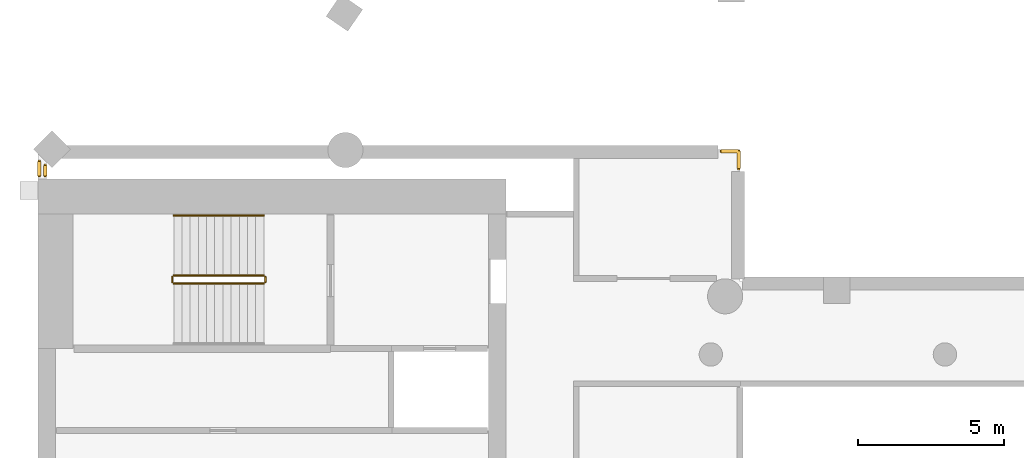
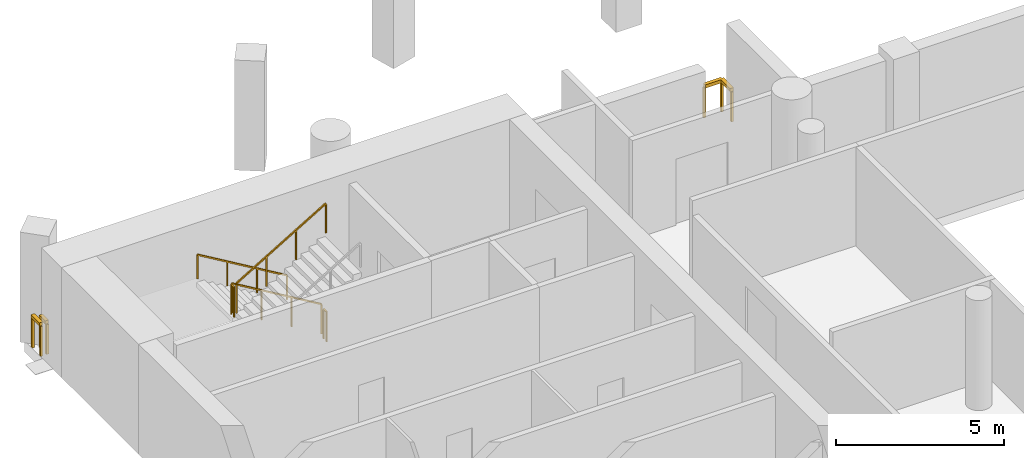
# One storey, part 7 of 8: 8 railings.
"""IFC4 building model written with IfcOpenShell, lengths in metres."""

from ifc_helpers import new_model, si_unit, direction, frame, origin, origin_2d, place, context, subcontext, project, spatial, rectangle, extrude, material, type_object, element, save


model = new_model("IFC4")

# Units and contexts
model_context = context("Model", 3, precision=1e-05, world=origin(), true_north=direction((0.0, 1.0)))
body_context = subcontext(model_context, "Body", "Model", "MODEL_VIEW")
ifc_project = project(units=[si_unit("LENGTHUNIT", "METRE"), si_unit("AREAUNIT", "SQUARE_METRE"), si_unit("VOLUMEUNIT", "CUBIC_METRE"), si_unit("PLANEANGLEUNIT", "RADIAN"), si_unit("MASSUNIT", "GRAM", prefix="KILO")], contexts=[model_context])

# Site, building, storey
site_placement = place(None, origin())
site = spatial("IfcSite", under=ifc_project, at=site_placement, CompositionType="ELEMENT")
building_placement = place(site_placement, origin())
building = spatial("IfcBuilding", under=site, at=building_placement, Name="Cypress Arch Tower", CompositionType="ELEMENT")
storey_placement = place(building_placement, frame((0.0, 0.0, 339.0)))
storey = spatial("IfcBuildingStorey", under=building, at=storey_placement, Name="L77", CompositionType="ELEMENT", Elevation=339.0)

# Railings
ifc_material_1 = material(Name="Stainless steel posts and handrail, laminated glass infill", Category="steel")
railing_type_1 = type_object("IfcRailingType", Name="Deck guard GR1200D", PredefinedType="GUARDRAIL", material=ifc_material_1)
railing_1_placement = place(storey_placement, frame((-29.949951171875, 16.10009765625, 0.0)))
element("IfcRailing", 1, at=railing_1_placement, inside=storey, type_object=railing_type_1, Name="Crown edge guard L77 2", PredefinedType="GUARDRAIL", context=body_context, shape_type="SweptSolid", body=[
    extrude(rectangle(XDim=0.1201171875, YDim=0.1201171875, at=origin_2d()), frame((0.0, 0.0, 1.139892578125), z_axis=(0.0, 1.0, 0.0), x_axis=(-1.0, 0.0, 0.0)), (0.0, 0.0, 1.0), 0.50244140625),
    extrude(rectangle(XDim=0.080078125, YDim=0.080078125, at=origin_2d()), origin(), (0.0, 0.0, 1.0), 1.079833984375),
    extrude(rectangle(XDim=0.080078125, YDim=0.080078125, at=origin_2d()), frame((0.0, 0.50244140625, 0.0)), (0.0, 0.0, 1.0), 1.079833984375),
])
railing_2_placement = place(storey_placement, frame((-29.75, 16.46240234375, 0.0)))
element("IfcRailing", 2, at=railing_2_placement, inside=storey, type_object=railing_type_1, Name="Crown edge guard L77 3", PredefinedType="GUARDRAIL", context=body_context, shape_type="SweptSolid", body=[
    extrude(rectangle(XDim=0.1201171875, YDim=0.1201171875, at=origin_2d()), frame((0.0, 0.0, 1.139892578125), z_axis=(0.0, -1.0, 0.0), x_axis=(1.0, 0.0, 0.0)), (0.0, 0.0, 1.0), 0.3623046875),
    extrude(rectangle(XDim=0.080078125, YDim=0.080078125, at=origin_2d()), origin(), (0.0, 0.0, 1.0), 1.079833984375),
    extrude(rectangle(XDim=0.080078125, YDim=0.080078125, at=origin_2d()), frame((0.0, -0.3623046875, 0.0)), (0.0, 0.0, 1.0), 1.079833984375),
])
railing_3_placement = place(storey_placement, frame((-6.64990234375, 16.949951171875, 0.0)))
element("IfcRailing", 3, at=railing_3_placement, inside=storey, type_object=railing_type_1, Name="Crown edge guard L77 4", PredefinedType="GUARDRAIL", context=body_context, shape_type="SweptSolid", body=[
    extrude(rectangle(XDim=0.1201171875, YDim=0.1201171875, at=origin_2d()), frame((0.0, 0.0, 1.139892578125), z_axis=(1.0, 0.0, 0.0), x_axis=(0.0, 1.0, 0.0)), (0.0, 0.0, 1.0), 0.599853515625),
    extrude(rectangle(XDim=0.1201171875, YDim=0.1201171875, at=origin_2d()), frame((0.599853515625, 0.0, 1.139892578125), z_axis=(0.0, -1.0, 0.0), x_axis=(1.0, 0.0, 0.0)), (0.0, 0.0, 1.0), 0.599853515625),
    extrude(rectangle(XDim=0.080078125, YDim=0.080078125, at=origin_2d()), origin(), (0.0, 0.0, 1.0), 1.079833984375),
    extrude(rectangle(XDim=0.080078125, YDim=0.080078125, at=origin_2d()), frame((0.599853515625, 0.0, 0.0)), (0.0, 0.0, 1.0), 1.079833984375),
    extrude(rectangle(XDim=0.080078125, YDim=0.080078125, at=origin_2d()), frame((0.599853515625, -0.599853515625, 0.0)), (0.0, 0.0, 1.0), 1.079833984375),
])
ifc_material_2 = material(Name="Black powder-coated steel square bar 48 mm", Category="steel")
railing_type_2 = type_object("IfcRailingType", Name="Stair handrail HR1", PredefinedType="HANDRAIL", material=ifc_material_2)
railing_4_placement = place(storey_placement, frame((-22.27490234375, 14.75, 0.166748046875)))
element("IfcRailing", 4, at=railing_4_placement, inside=storey, type_object=railing_type_2, Name="L77 B stair handrail 1", PredefinedType="HANDRAIL", context=body_context, shape_type="SweptSolid", body=[
    extrude(rectangle(XDim=0.048095703125, YDim=0.048095703125, at=origin_2d()), frame((0.0, 0.0, 0.8759765625), z_axis=(-0.859308565015, 0.0, 0.511457515432), x_axis=(0.0, -1.0, 0.0)), (0.0, 0.0, 1.0), 3.58447265625),
    extrude(rectangle(XDim=0.0419921875, YDim=0.0419921875, at=origin_2d()), origin(), (0.0, 0.0, 1.0), 0.851806640625),
    extrude(rectangle(XDim=0.0419921875, YDim=0.0419921875, at=origin_2d()), frame((-1.026611328125, 0.0, 0.611083984375)), (0.0, 0.0, 1.0), 0.851806640625),
    extrude(rectangle(XDim=0.0419921875, YDim=0.0419921875, at=origin_2d()), frame((-2.053466796875, 0.0, 1.22216796875)), (0.0, 0.0, 1.0), 0.851806640625),
    extrude(rectangle(XDim=0.0419921875, YDim=0.0419921875, at=origin_2d()), frame((-3.080078125, 0.0, 1.833251953125)), (0.0, 0.0, 1.0), 0.851806640625),
])
ifc_material_3 = material(Name="Black powder-coated steel balusters", Category="steel")
railing_type_3 = type_object("IfcRailingType", Name="Stair well guard G1", PredefinedType="GUARDRAIL", material=ifc_material_3)
railing_5_placement = place(storey_placement, frame((-22.27490234375, 12.699951171875, 0.166748046875)))
element("IfcRailing", 5, at=railing_5_placement, inside=storey, type_object=railing_type_3, Name="L77 B stair guard 1", PredefinedType="GUARDRAIL", context=body_context, shape_type="SweptSolid", body=[
    extrude(rectangle(XDim=0.048095703125, YDim=0.048095703125, at=origin_2d()), frame((0.0, 0.0, 1.076171875), z_axis=(-0.859308565015, 0.0, 0.511457515432), x_axis=(0.0, -1.0, 0.0)), (0.0, 0.0, 1.0), 3.58447265625),
    extrude(rectangle(XDim=0.0419921875, YDim=0.0419921875, at=origin_2d()), origin(), (0.0, 0.0, 1.0), 1.052001953125),
    extrude(rectangle(XDim=0.0419921875, YDim=0.0419921875, at=origin_2d()), frame((-1.026611328125, 0.0, 0.611083984375)), (0.0, 0.0, 1.0), 1.052001953125),
    extrude(rectangle(XDim=0.0419921875, YDim=0.0419921875, at=origin_2d()), frame((-2.053466796875, 0.0, 1.22216796875)), (0.0, 0.0, 1.0), 1.052001953125),
    extrude(rectangle(XDim=0.0419921875, YDim=0.0419921875, at=origin_2d()), frame((-3.080078125, 0.0, 1.833251953125)), (0.0, 0.0, 1.0), 1.052001953125),
])
railing_6_placement = place(storey_placement, frame((-25.405029296875, 12.64990234375, 2.0)))
element("IfcRailing", 6, at=railing_6_placement, inside=storey, type_object=railing_type_3, Name="L77 B stair guard 2", PredefinedType="GUARDRAIL", context=body_context, shape_type="SweptSolid", body=[
    extrude(rectangle(XDim=0.048095703125, YDim=0.048095703125, at=origin_2d()), frame((0.0, 0.0, 1.076171875), z_axis=(0.0, -1.0, 0.0), x_axis=(1.0, 0.0, 0.0)), (0.0, 0.0, 1.0), 0.1748046875),
    extrude(rectangle(XDim=0.0419921875, YDim=0.0419921875, at=origin_2d()), origin(), (0.0, 0.0, 1.0), 1.052001953125),
    extrude(rectangle(XDim=0.0419921875, YDim=0.0419921875, at=origin_2d()), frame((0.0, -0.1748046875, 0.0)), (0.0, 0.0, 1.0), 1.052001953125),
])
railing_7_placement = place(storey_placement, frame((-25.35498046875, 12.425048828125, 2.166748046875)))
element("IfcRailing", 7, at=railing_7_placement, inside=storey, type_object=railing_type_3, Name="L77 B stair guard 3", PredefinedType="GUARDRAIL", context=body_context, shape_type="SweptSolid", body=[
    extrude(rectangle(XDim=0.048095703125, YDim=0.048095703125, at=origin_2d()), frame((0.0, 0.0, 1.076171875), z_axis=(0.859308565015, 0.0, 0.511457515432), x_axis=(0.0, 1.0, 0.0)), (0.0, 0.0, 1.0), 3.58447265625),
    extrude(rectangle(XDim=0.0419921875, YDim=0.0419921875, at=origin_2d()), origin(), (0.0, 0.0, 1.0), 1.052001953125),
    extrude(rectangle(XDim=0.0419921875, YDim=0.0419921875, at=origin_2d()), frame((1.026611328125, 0.0, 0.611083984375)), (0.0, 0.0, 1.0), 1.052001953125),
    extrude(rectangle(XDim=0.0419921875, YDim=0.0419921875, at=origin_2d()), frame((2.053466796875, 0.0, 1.22216796875)), (0.0, 0.0, 1.0), 1.052001953125),
    extrude(rectangle(XDim=0.0419921875, YDim=0.0419921875, at=origin_2d()), frame((3.080078125, 0.0, 1.833251953125)), (0.0, 0.0, 1.0), 1.052001953125),
])
railing_8_placement = place(storey_placement, frame((-22.22509765625, 12.64990234375, 0.0)))
element("IfcRailing", 8, at=railing_8_placement, inside=storey, type_object=railing_type_3, Name="L77 B stair guard 4", PredefinedType="GUARDRAIL", context=body_context, shape_type="SweptSolid", body=[
    extrude(rectangle(XDim=0.048095703125, YDim=0.048095703125, at=origin_2d()), frame((0.0, 0.0, 1.076171875), z_axis=(0.0, -1.0, 0.0), x_axis=(1.0, 0.0, 0.0)), (0.0, 0.0, 1.0), 0.1748046875),
    extrude(rectangle(XDim=0.0419921875, YDim=0.0419921875, at=origin_2d()), origin(), (0.0, 0.0, 1.0), 1.052001953125),
    extrude(rectangle(XDim=0.0419921875, YDim=0.0419921875, at=origin_2d()), frame((0.0, -0.1748046875, 0.0)), (0.0, 0.0, 1.0), 1.052001953125),
])

save(model, "model.ifc")
